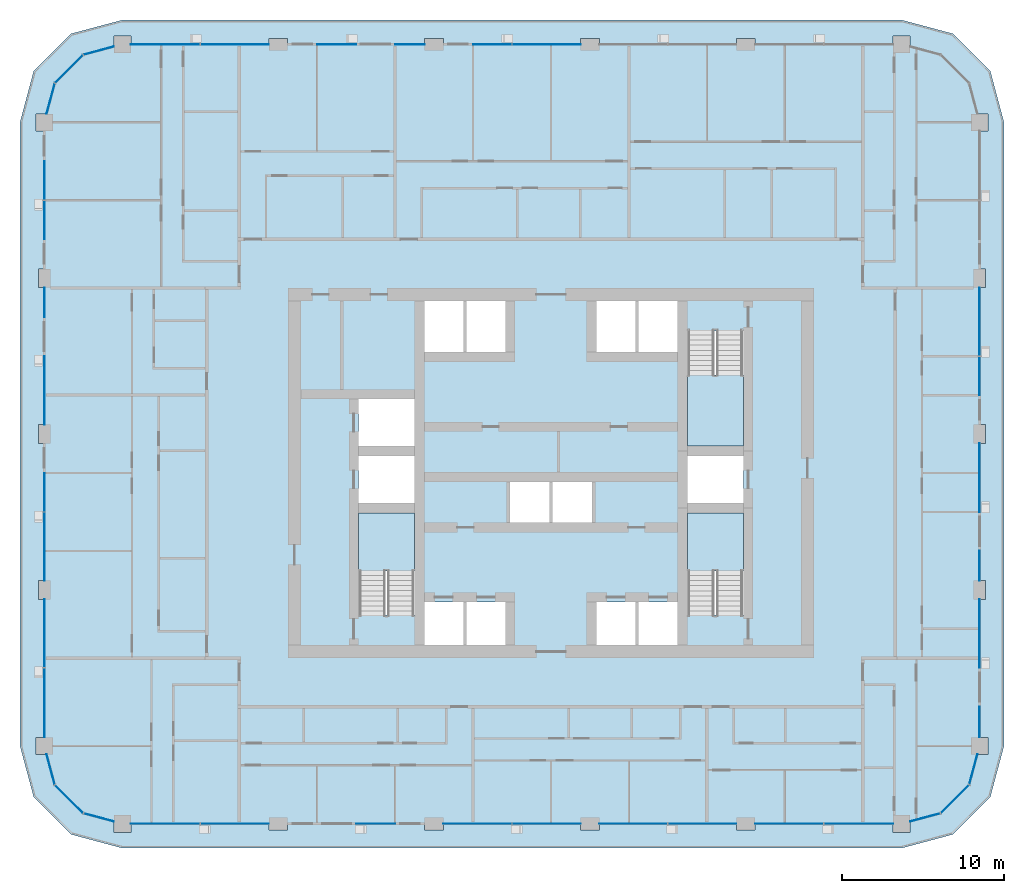
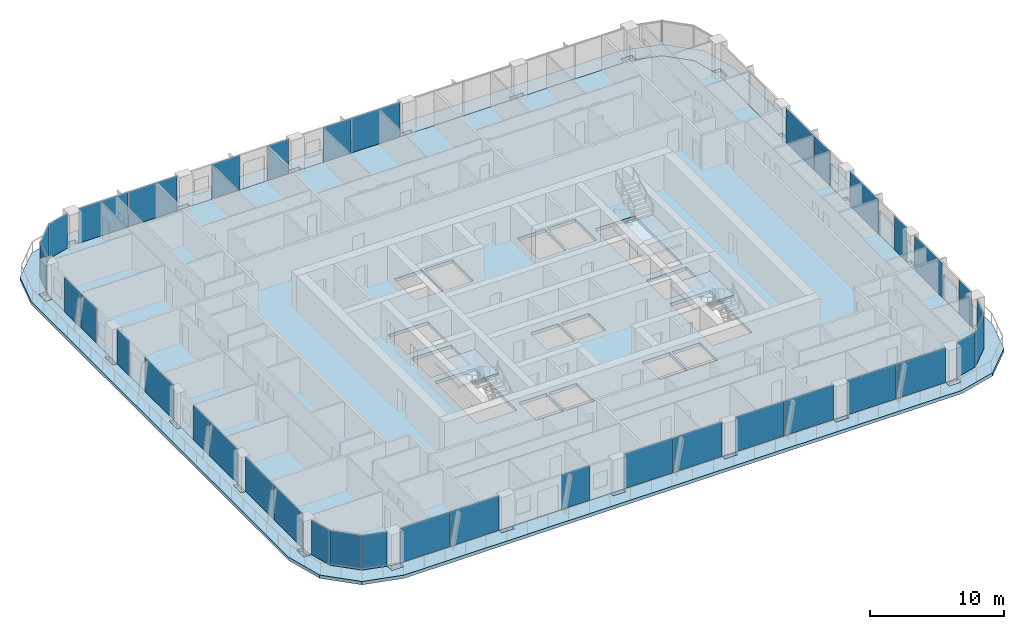
# One storey, part 7 of 22: 38 plates, 5 slabs, 21 elements without a shape of their own.
"""IFC4 building model written with IfcOpenShell, lengths in metres."""

from ifc_helpers import new_model, si_unit, direction, frame, origin, origin_2d, place, context, subcontext, project, spatial, polyline, rectangle, outline, extrude, material, layer, layer_set, type_object, element, aggregate, save


model = new_model("IFC4")

# Units and contexts
model_context = context("Model", 3, precision=1e-05, world=origin(), true_north=direction((0.0, 1.0)))
body_context = subcontext(model_context, "Body", "Model", "MODEL_VIEW")
ifc_project = project(units=[si_unit("LENGTHUNIT", "METRE"), si_unit("AREAUNIT", "SQUARE_METRE"), si_unit("VOLUMEUNIT", "CUBIC_METRE"), si_unit("PLANEANGLEUNIT", "RADIAN"), si_unit("MASSUNIT", "GRAM", prefix="KILO")], contexts=[model_context])

# Site, building, storey
site_placement = place(None, origin())
site = spatial("IfcSite", under=ifc_project, at=site_placement, CompositionType="ELEMENT")
building_placement = place(site_placement, origin())
building = spatial("IfcBuilding", under=site, at=building_placement, Name="Madar Terraces", CompositionType="ELEMENT")
storey_placement = place(building_placement, frame((0.0, 0.0, 129.60009765625)))
storey = spatial("IfcBuildingStorey", under=building, at=storey_placement, Name="L33", CompositionType="ELEMENT", Elevation=129.60009765625)

# Slabs
ifc_material_1 = material(Name="Concrete C50/60", Category="concrete")
ifc_layer_1 = layer(ifc_material_1, 0.300048828125)
ifc_layer_set_1 = layer_set([ifc_layer_1], Name="Balcony band 300")
slab_type_1 = type_object("IfcSlabType", Name="Balcony band 300", PredefinedType="FLOOR", material=ifc_layer_set_1)
slab_1_placement = place(storey_placement, frame((0.0, 0.0, -0.300048828125)))
element("IfcSlab", 1, at=slab_1_placement, inside=storey, type_object=slab_type_1, Name="Balcony band", PredefinedType="FLOOR", context=body_context, shape_type="SweptSolid", body=[
    extrude(outline(polyline([(4.800048828125, 3.300048828125), (1.64990234375, 4.14404296875), (-0.656005859375, 6.449951171875), (-1.5, 9.60009765625), (-1.5, 48.0), (-0.656005859375, 51.14990234375), (1.64990234375, 53.4560546875), (4.800048828125, 54.300048828125), (52.800048828125, 54.300048828125), (55.949951171875, 53.4560546875), (58.256103515625, 51.14990234375), (59.10009765625, 48.0), (59.10009765625, 9.60009765625), (58.256103515625, 6.449951171875), (55.949951171875, 4.14404296875), (52.800048828125, 3.300048828125), (4.800048828125, 3.300048828125)]), holes=[polyline([(5.324951171875, 4.27490234375), (5.324951171875, 4.800048828125), (13.824951171875, 4.800048828125), (13.824951171875, 4.425048828125), (14.97509765625, 4.425048828125), (14.97509765625, 4.800048828125), (23.425048828125, 4.800048828125), (23.425048828125, 4.425048828125), (24.574951171875, 4.425048828125), (24.574951171875, 4.800048828125), (33.02490234375, 4.800048828125), (33.02490234375, 4.425048828125), (34.175048828125, 4.425048828125), (34.175048828125, 4.800048828125), (42.625, 4.800048828125), (42.625, 4.425048828125), (43.77490234375, 4.425048828125), (43.77490234375, 4.800048828125), (52.27490234375, 4.800048828125), (52.27490234375, 4.27490234375), (53.324951171875, 4.27490234375), (53.324951171875, 4.940673828125), (55.199951171875, 5.443115234375), (56.956787109375, 7.199951171875), (57.459228515625, 9.074951171875), (58.125, 9.074951171875), (58.125, 10.125), (57.60009765625, 10.125), (57.60009765625, 18.625), (57.97509765625, 18.625), (57.97509765625, 19.77490234375), (57.60009765625, 19.77490234375), (57.60009765625, 28.22509765625), (57.97509765625, 28.22509765625), (57.97509765625, 29.375), (57.60009765625, 29.375), (57.60009765625, 37.824951171875), (57.97509765625, 37.824951171875), (57.97509765625, 38.97509765625), (57.60009765625, 38.97509765625), (57.60009765625, 47.47509765625), (58.125, 47.47509765625), (58.125, 48.52490234375), (57.459228515625, 48.52490234375), (56.956787109375, 50.39990234375), (55.199951171875, 52.156982421875), (53.324951171875, 52.6591796875), (53.324951171875, 53.324951171875), (52.27490234375, 53.324951171875), (52.27490234375, 52.800048828125), (43.77490234375, 52.800048828125), (43.77490234375, 53.175048828125), (42.625, 53.175048828125), (42.625, 52.800048828125), (34.175048828125, 52.800048828125), (34.175048828125, 53.175048828125), (33.02490234375, 53.175048828125), (33.02490234375, 52.800048828125), (24.574951171875, 52.800048828125), (24.574951171875, 53.175048828125), (23.425048828125, 53.175048828125), (23.425048828125, 52.800048828125), (14.97509765625, 52.800048828125), (14.97509765625, 53.175048828125), (13.824951171875, 53.175048828125), (13.824951171875, 52.800048828125), (5.324951171875, 52.800048828125), (5.324951171875, 53.324951171875), (4.27490234375, 53.324951171875), (4.27490234375, 52.6591796875), (2.39990234375, 52.156982421875), (0.64306640625, 50.39990234375), (0.140625, 48.52490234375), (-0.52490234375, 48.52490234375), (-0.52490234375, 47.47509765625), (0.0, 47.47509765625), (0.0, 38.97509765625), (-0.375, 38.97509765625), (-0.375, 37.824951171875), (0.0, 37.824951171875), (0.0, 29.375), (-0.375, 29.375), (-0.375, 28.22509765625), (0.0, 28.22509765625), (0.0, 19.77490234375), (-0.375, 19.77490234375), (-0.375, 18.625), (0.0, 18.625), (0.0, 10.125), (-0.52490234375, 10.125), (-0.52490234375, 9.074951171875), (0.140625, 9.074951171875), (0.64306640625, 7.199951171875), (2.39990234375, 5.443115234375), (4.27490234375, 4.940673828125), (4.27490234375, 4.27490234375), (5.324951171875, 4.27490234375)])]), origin(), (0.0, 0.0, 1.0), 0.300048828125),
])
ifc_material_2 = material(Name="Concrete C50/60", Category="concrete")
ifc_layer_2 = layer(ifc_material_2, 0.300048828125)
ifc_layer_set_2 = layer_set([ifc_layer_2], Name="FS2 PT flat slab 300")
slab_type_2 = type_object("IfcSlabType", Name="FS2 PT flat slab 300", PredefinedType="FLOOR", material=ifc_layer_set_2)
slab_2_placement = place(storey_placement, frame((0.0, 0.0, -0.300048828125)))
element("IfcSlab", 2, at=slab_2_placement, inside=storey, type_object=slab_type_2, Name="Floor slab L33 (1)", PredefinedType="FLOOR", context=body_context, shape_type="SweptSolid", body=[
    extrude(outline(polyline([(52.800048828125, 4.800048828125), (55.199951171875, 5.443115234375), (56.95703125, 7.199951171875), (57.60009765625, 9.60009765625), (57.60009765625, 48.0), (56.95703125, 50.39990234375), (55.199951171875, 52.156982421875), (52.800048828125, 52.800048828125), (4.800048828125, 52.800048828125), (2.39990234375, 52.156982421875), (0.64306640625, 50.39990234375), (0.0, 48.0), (0.0, 9.60009765625), (0.64306640625, 7.199951171875), (2.39990234375, 5.443115234375), (4.800048828125, 4.800048828125), (52.800048828125, 4.800048828125)]), holes=[polyline([(23.39990234375, 15.800048828125), (23.39990234375, 18.449951171875), (25.800048828125, 18.449951171875), (25.800048828125, 15.800048828125), (23.39990234375, 15.800048828125)]), polyline([(26.0, 15.800048828125), (26.0, 18.449951171875), (28.39990234375, 18.449951171875), (28.39990234375, 15.800048828125), (26.0, 15.800048828125)]), polyline([(19.35009765625, 17.64990234375), (19.35009765625, 23.949951171875), (22.800048828125, 23.949951171875), (22.800048828125, 17.64990234375), (19.35009765625, 17.64990234375)]), polyline([(28.666748046875, 23.35009765625), (28.666748046875, 25.85009765625), (31.10009765625, 25.85009765625), (31.10009765625, 23.35009765625), (28.666748046875, 23.35009765625)]), polyline([(19.35009765625, 24.550048828125), (19.35009765625, 27.449951171875), (22.800048828125, 27.449951171875), (22.800048828125, 24.550048828125), (19.35009765625, 24.550048828125)]), polyline([(19.35009765625, 28.050048828125), (19.35009765625, 30.949951171875), (22.800048828125, 30.949951171875), (22.800048828125, 28.050048828125), (19.35009765625, 28.050048828125)]), polyline([(23.39990234375, 33.85009765625), (23.39990234375, 37.0), (25.800048828125, 37.0), (25.800048828125, 33.85009765625), (23.39990234375, 33.85009765625)]), polyline([(26.0, 33.85009765625), (26.0, 37.0), (28.39990234375, 37.0), (28.39990234375, 33.85009765625), (26.0, 33.85009765625)]), polyline([(34.0, 15.800048828125), (34.0, 18.449951171875), (36.39990234375, 18.449951171875), (36.39990234375, 15.800048828125), (34.0, 15.800048828125)]), polyline([(36.60009765625, 15.800048828125), (36.60009765625, 18.449951171875), (39.0, 18.449951171875), (39.0, 15.800048828125), (36.60009765625, 15.800048828125)]), polyline([(39.60009765625, 17.64990234375), (39.60009765625, 23.949951171875), (43.050048828125, 23.949951171875), (43.050048828125, 17.64990234375), (39.60009765625, 17.64990234375)]), polyline([(31.300048828125, 23.35009765625), (31.300048828125, 25.85009765625), (33.7333984375, 25.85009765625), (33.7333984375, 23.35009765625), (31.300048828125, 23.35009765625)]), polyline([(39.60009765625, 24.550048828125), (39.60009765625, 27.449951171875), (43.050048828125, 27.449951171875), (43.050048828125, 24.550048828125), (39.60009765625, 24.550048828125)]), polyline([(39.60009765625, 28.050048828125), (39.60009765625, 35.14990234375), (43.050048828125, 35.14990234375), (43.050048828125, 28.050048828125), (39.60009765625, 28.050048828125)]), polyline([(34.0, 33.85009765625), (34.0, 37.0), (36.39990234375, 37.0), (36.39990234375, 33.85009765625), (34.0, 33.85009765625)]), polyline([(36.60009765625, 33.85009765625), (36.60009765625, 37.0), (39.0, 37.0), (39.0, 33.85009765625), (36.60009765625, 33.85009765625)])]), origin(), (0.0, 0.0, 1.0), 0.300048828125),
])

# Curtain wall, plates
ifc_material_3 = material(Name="Glass, ceramic frit dark grey, with black aluminium frame", Category="aluminium")
ifc_layer_3 = layer(ifc_material_3, 0.199951171875)
ifc_layer_set_3 = layer_set([ifc_layer_3], Name="Facade curtain wall, fritted glass")
curtain_wall_type = type_object("IfcCurtainWallType", Name="Facade curtain wall, fritted glass", PredefinedType="NOTDEFINED", material=ifc_layer_set_3)
curtain_wall_1_placement = place(storey_placement, origin())
curtain_wall_1 = element("IfcCurtainWall", 3, at=curtain_wall_1_placement, inside=storey, type_object=curtain_wall_type, Name="Outer skin curtain wall south bay 1", PredefinedType="NOTDEFINED")
ifc_material_4 = material(Name="Glass, ceramic frit dark grey", Category="glass")
ifc_layer_4 = layer(ifc_material_4, 0.028076171875)
ifc_layer_set_4 = layer_set([ifc_layer_4], Name="Facade glass panel 28")
plate_type = type_object("IfcPlateType", Name="Facade glass panel 28", PredefinedType="CURTAIN_PANEL", material=ifc_layer_set_4)
plate_1_placement = place(storey_placement, frame((7.447509765625, 4.800048828125, 0.0), z_axis=(0.0, 0.0, 1.0), x_axis=(1.0, 0.0, 0.0)))
plate_1 = element("IfcPlate", 4, at=plate_1_placement, type_object=plate_type, Name="Panel 1", PredefinedType="CURTAIN_PANEL", context=body_context, shape_type="SweptSolid", body=[
    extrude(rectangle(XDim=4.2451171875, YDim=0.028076171875, at=origin_2d()), origin(), (0.0, 0.0, 1.0), 3.139892578125),
])
plate_2_placement = place(storey_placement, frame((11.7275390625, 4.800048828125, 0.0), z_axis=(0.0, 0.0, 1.0), x_axis=(1.0, 0.0, 0.0)))
plate_2 = element("IfcPlate", 5, at=plate_2_placement, type_object=plate_type, Name="Panel 2", PredefinedType="CURTAIN_PANEL", context=body_context, shape_type="SweptSolid", body=[
    extrude(rectangle(XDim=4.195068359375, YDim=0.028076171875, at=origin_2d()), origin(), (0.0, 0.0, 1.0), 3.139892578125),
])
aggregate(curtain_wall_1, [plate_1, plate_2])

# Curtain wall, plate
curtain_wall_2_placement = place(storey_placement, origin())
curtain_wall_2 = element("IfcCurtainWall", 6, at=curtain_wall_2_placement, inside=storey, type_object=curtain_wall_type, Name="Outer skin curtain wall south bay 2", PredefinedType="NOTDEFINED")
plate_3_placement = place(storey_placement, frame((20.39990234375, 4.800048828125, 0.0), z_axis=(0.0, 0.0, 1.0), x_axis=(1.0, 0.0, 0.0)))
plate_3 = element("IfcPlate", 7, at=plate_3_placement, type_object=plate_type, Name="Panel 1", PredefinedType="CURTAIN_PANEL", context=body_context, shape_type="SweptSolid", body=[
    extrude(rectangle(XDim=2.39990234375, YDim=0.028076171875, at=origin_2d()), origin(), (0.0, 0.0, 1.0), 3.139892578125),
])
aggregate(curtain_wall_2, [plate_3])

# Curtain wall, plates
curtain_wall_3_placement = place(storey_placement, origin())
curtain_wall_3 = element("IfcCurtainWall", 8, at=curtain_wall_3_placement, inside=storey, type_object=curtain_wall_type, Name="Outer skin curtain wall south bay 3", PredefinedType="NOTDEFINED")
plate_4_placement = place(storey_placement, frame((26.672607421875, 4.800048828125, 0.0), z_axis=(0.0, 0.0, 1.0), x_axis=(1.0, 0.0, 0.0)))
plate_4 = element("IfcPlate", 9, at=plate_4_placement, type_object=plate_type, Name="Panel 1", PredefinedType="CURTAIN_PANEL", context=body_context, shape_type="SweptSolid", body=[
    extrude(rectangle(XDim=4.195068359375, YDim=0.028076171875, at=origin_2d()), origin(), (0.0, 0.0, 1.0), 3.139892578125),
])
plate_5_placement = place(storey_placement, frame((30.927490234375, 4.800048828125, 0.0), z_axis=(0.0, 0.0, 1.0), x_axis=(1.0, 0.0, 0.0)))
plate_5 = element("IfcPlate", 10, at=plate_5_placement, type_object=plate_type, Name="Panel 2", PredefinedType="CURTAIN_PANEL", context=body_context, shape_type="SweptSolid", body=[
    extrude(rectangle(XDim=4.195068359375, YDim=0.028076171875, at=origin_2d()), origin(), (0.0, 0.0, 1.0), 3.139892578125),
])
aggregate(curtain_wall_3, [plate_4, plate_5])

curtain_wall_4_placement = place(storey_placement, origin())
curtain_wall_4 = element("IfcCurtainWall", 11, at=curtain_wall_4_placement, inside=storey, type_object=curtain_wall_type, Name="Outer skin curtain wall south bay 4", PredefinedType="NOTDEFINED")
plate_6_placement = place(storey_placement, frame((36.2724609375, 4.800048828125, 0.0), z_axis=(0.0, 0.0, 1.0), x_axis=(1.0, 0.0, 0.0)))
plate_6 = element("IfcPlate", 12, at=plate_6_placement, type_object=plate_type, Name="Panel 1", PredefinedType="CURTAIN_PANEL", context=body_context, shape_type="SweptSolid", body=[
    extrude(rectangle(XDim=4.195068359375, YDim=0.028076171875, at=origin_2d()), origin(), (0.0, 0.0, 1.0), 3.139892578125),
])
plate_7_placement = place(storey_placement, frame((40.527587890625, 4.800048828125, 0.0), z_axis=(0.0, 0.0, 1.0), x_axis=(1.0, 0.0, 0.0)))
plate_7 = element("IfcPlate", 13, at=plate_7_placement, type_object=plate_type, Name="Panel 2", PredefinedType="CURTAIN_PANEL", context=body_context, shape_type="SweptSolid", body=[
    extrude(rectangle(XDim=4.195068359375, YDim=0.028076171875, at=origin_2d()), origin(), (0.0, 0.0, 1.0), 3.139892578125),
])
aggregate(curtain_wall_4, [plate_6, plate_7])

curtain_wall_5_placement = place(storey_placement, origin())
curtain_wall_5 = element("IfcCurtainWall", 14, at=curtain_wall_5_placement, inside=storey, type_object=curtain_wall_type, Name="Outer skin curtain wall south bay 5", PredefinedType="NOTDEFINED")
plate_8_placement = place(storey_placement, frame((45.87255859375, 4.800048828125, 0.0), z_axis=(0.0, 0.0, 1.0), x_axis=(1.0, 0.0, 0.0)))
plate_8 = element("IfcPlate", 15, at=plate_8_placement, type_object=plate_type, Name="Panel 1", PredefinedType="CURTAIN_PANEL", context=body_context, shape_type="SweptSolid", body=[
    extrude(rectangle(XDim=4.195068359375, YDim=0.028076171875, at=origin_2d()), origin(), (0.0, 0.0, 1.0), 3.139892578125),
])
plate_9_placement = place(storey_placement, frame((50.152587890625, 4.800048828125, 0.0), z_axis=(0.0, 0.0, 1.0), x_axis=(1.0, 0.0, 0.0)))
plate_9 = element("IfcPlate", 16, at=plate_9_placement, type_object=plate_type, Name="Panel 2", PredefinedType="CURTAIN_PANEL", context=body_context, shape_type="SweptSolid", body=[
    extrude(rectangle(XDim=4.2451171875, YDim=0.028076171875, at=origin_2d()), origin(), (0.0, 0.0, 1.0), 3.139892578125),
])
aggregate(curtain_wall_5, [plate_8, plate_9])

curtain_wall_6_placement = place(storey_placement, origin())
curtain_wall_6 = element("IfcCurtainWall", 17, at=curtain_wall_6_placement, inside=storey, type_object=curtain_wall_type, Name="Outer skin curtain wall east bay 1", PredefinedType="NOTDEFINED")
plate_10_placement = place(storey_placement, frame((57.60009765625, 11.0625, 0.0), z_axis=(0.0, 0.0, 1.0), x_axis=(0.0, 1.0, 0.0)))
plate_10 = element("IfcPlate", 18, at=plate_10_placement, type_object=plate_type, Name="Panel 1", PredefinedType="CURTAIN_PANEL", context=body_context, shape_type="SweptSolid", body=[
    extrude(rectangle(XDim=1.875, YDim=0.028076171875, at=origin_2d()), origin(), (0.0, 0.0, 1.0), 3.139892578125),
])
plate_11_placement = place(storey_placement, frame((57.60009765625, 16.512451171875, 0.0), z_axis=(0.0, 0.0, 1.0), x_axis=(0.0, 1.0, 0.0)))
plate_11 = element("IfcPlate", 19, at=plate_11_placement, type_object=plate_type, Name="Panel 2", PredefinedType="CURTAIN_PANEL", context=body_context, shape_type="SweptSolid", body=[
    extrude(rectangle(XDim=4.22509765625, YDim=0.028076171875, at=origin_2d()), origin(), (0.0, 0.0, 1.0), 3.139892578125),
])
aggregate(curtain_wall_6, [plate_10, plate_11])

curtain_wall_7_placement = place(storey_placement, origin())
curtain_wall_7 = element("IfcCurtainWall", 20, at=curtain_wall_7_placement, inside=storey, type_object=curtain_wall_type, Name="Outer skin curtain wall east bay 2", PredefinedType="NOTDEFINED")
plate_12_placement = place(storey_placement, frame((57.60009765625, 20.6875, 0.0), z_axis=(0.0, 0.0, 1.0), x_axis=(0.0, 1.0, 0.0)))
plate_12 = element("IfcPlate", 21, at=plate_12_placement, type_object=plate_type, Name="Panel 1", PredefinedType="CURTAIN_PANEL", context=body_context, shape_type="SweptSolid", body=[
    extrude(rectangle(XDim=1.824951171875, YDim=0.028076171875, at=origin_2d()), origin(), (0.0, 0.0, 1.0), 3.139892578125),
])
plate_13_placement = place(storey_placement, frame((57.60009765625, 26.112548828125, 0.0), z_axis=(0.0, 0.0, 1.0), x_axis=(0.0, 1.0, 0.0)))
plate_13 = element("IfcPlate", 22, at=plate_13_placement, type_object=plate_type, Name="Panel 2", PredefinedType="CURTAIN_PANEL", context=body_context, shape_type="SweptSolid", body=[
    extrude(rectangle(XDim=4.22509765625, YDim=0.028076171875, at=origin_2d()), origin(), (0.0, 0.0, 1.0), 3.139892578125),
])
aggregate(curtain_wall_7, [plate_12, plate_13])

curtain_wall_8_placement = place(storey_placement, origin())
curtain_wall_8 = element("IfcCurtainWall", 23, at=curtain_wall_8_placement, inside=storey, type_object=curtain_wall_type, Name="Outer skin curtain wall east bay 3", PredefinedType="NOTDEFINED")
plate_14_placement = place(storey_placement, frame((57.60009765625, 32.385009765625, 0.0), z_axis=(0.0, 0.0, 1.0), x_axis=(0.0, 1.0, 0.0)))
plate_14 = element("IfcPlate", 24, at=plate_14_placement, type_object=plate_type, Name="Panel 1", PredefinedType="CURTAIN_PANEL", context=body_context, shape_type="SweptSolid", body=[
    extrude(rectangle(XDim=2.3701171875, YDim=0.028076171875, at=origin_2d()), origin(), (0.0, 0.0, 1.0), 3.139892578125),
])
plate_15_placement = place(storey_placement, frame((57.60009765625, 35.7275390625, 0.0), z_axis=(0.0, 0.0, 1.0), x_axis=(0.0, 1.0, 0.0)))
plate_15 = element("IfcPlate", 25, at=plate_15_placement, type_object=plate_type, Name="Panel 2", PredefinedType="CURTAIN_PANEL", context=body_context, shape_type="SweptSolid", body=[
    extrude(rectangle(XDim=4.195068359375, YDim=0.028076171875, at=origin_2d()), origin(), (0.0, 0.0, 1.0), 3.139892578125),
])
aggregate(curtain_wall_8, [plate_14, plate_15])

curtain_wall_9_placement = place(storey_placement, origin())
curtain_wall_9 = element("IfcCurtainWall", 26, at=curtain_wall_9_placement, inside=storey, type_object=curtain_wall_type, Name="Outer skin curtain wall north bay 3", PredefinedType="NOTDEFINED")
plate_16_placement = place(storey_placement, frame((30.927490234375, 52.800048828125, 0.0), z_axis=(0.0, 0.0, 1.0), x_axis=(-1.0, 0.0, 0.0)))
plate_16 = element("IfcPlate", 27, at=plate_16_placement, type_object=plate_type, Name="Panel 1", PredefinedType="CURTAIN_PANEL", context=body_context, shape_type="SweptSolid", body=[
    extrude(rectangle(XDim=4.195068359375, YDim=0.028076171875, at=origin_2d()), origin(), (0.0, 0.0, 1.0), 3.139892578125),
])
plate_17_placement = place(storey_placement, frame((27.5849609375, 52.800048828125, 0.0), z_axis=(0.0, 0.0, 1.0), x_axis=(-1.0, 0.0, 0.0)))
plate_17 = element("IfcPlate", 28, at=plate_17_placement, type_object=plate_type, Name="Panel 2", PredefinedType="CURTAIN_PANEL", context=body_context, shape_type="SweptSolid", body=[
    extrude(rectangle(XDim=2.3701171875, YDim=0.028076171875, at=origin_2d()), origin(), (0.0, 0.0, 1.0), 3.139892578125),
])
aggregate(curtain_wall_9, [plate_16, plate_17])

curtain_wall_10_placement = place(storey_placement, origin())
curtain_wall_10 = element("IfcCurtainWall", 29, at=curtain_wall_10_placement, inside=storey, type_object=curtain_wall_type, Name="Outer skin curtain wall north bay 4", PredefinedType="NOTDEFINED")
plate_18_placement = place(storey_placement, frame((22.512451171875, 52.800048828125, 0.0), z_axis=(0.0, 0.0, 1.0), x_axis=(-1.0, 0.0, 0.0)))
plate_18 = element("IfcPlate", 30, at=plate_18_placement, type_object=plate_type, Name="Panel 1", PredefinedType="CURTAIN_PANEL", context=body_context, shape_type="SweptSolid", body=[
    extrude(rectangle(XDim=1.824951171875, YDim=0.028076171875, at=origin_2d()), origin(), (0.0, 0.0, 1.0), 3.139892578125),
])
plate_19_placement = place(storey_placement, frame((18.0, 52.800048828125, 0.0), z_axis=(0.0, 0.0, 1.0), x_axis=(-1.0, 0.0, 0.0)))
plate_19 = element("IfcPlate", 31, at=plate_19_placement, type_object=plate_type, Name="Panel 2", PredefinedType="CURTAIN_PANEL", context=body_context, shape_type="SweptSolid", body=[
    extrude(rectangle(XDim=2.39990234375, YDim=0.028076171875, at=origin_2d()), origin(), (0.0, 0.0, 1.0), 3.139892578125),
])
aggregate(curtain_wall_10, [plate_18, plate_19])

curtain_wall_11_placement = place(storey_placement, origin())
curtain_wall_11 = element("IfcCurtainWall", 32, at=curtain_wall_11_placement, inside=storey, type_object=curtain_wall_type, Name="Outer skin curtain wall north bay 5", PredefinedType="NOTDEFINED")
plate_20_placement = place(storey_placement, frame((11.7275390625, 52.800048828125, 0.0), z_axis=(0.0, 0.0, 1.0), x_axis=(-1.0, 0.0, 0.0)))
plate_20 = element("IfcPlate", 33, at=plate_20_placement, type_object=plate_type, Name="Panel 1", PredefinedType="CURTAIN_PANEL", context=body_context, shape_type="SweptSolid", body=[
    extrude(rectangle(XDim=4.195068359375, YDim=0.028076171875, at=origin_2d()), origin(), (0.0, 0.0, 1.0), 3.139892578125),
])
plate_21_placement = place(storey_placement, frame((7.447509765625, 52.800048828125, 0.0), z_axis=(0.0, 0.0, 1.0), x_axis=(-1.0, 0.0, 0.0)))
plate_21 = element("IfcPlate", 34, at=plate_21_placement, type_object=plate_type, Name="Panel 2", PredefinedType="CURTAIN_PANEL", context=body_context, shape_type="SweptSolid", body=[
    extrude(rectangle(XDim=4.2451171875, YDim=0.028076171875, at=origin_2d()), origin(), (0.0, 0.0, 1.0), 3.139892578125),
])
aggregate(curtain_wall_11, [plate_20, plate_21])

curtain_wall_12_placement = place(storey_placement, origin())
curtain_wall_12 = element("IfcCurtainWall", 35, at=curtain_wall_12_placement, inside=storey, type_object=curtain_wall_type, Name="Outer skin curtain wall west bay 1", PredefinedType="NOTDEFINED")
plate_22_placement = place(storey_placement, frame((0.0, 44.4150390625, 0.0), z_axis=(0.0, 0.0, 1.0), x_axis=(0.0, -1.0, 0.0)))
plate_22 = element("IfcPlate", 36, at=plate_22_placement, type_object=plate_type, Name="Panel 1", PredefinedType="CURTAIN_PANEL", context=body_context, shape_type="SweptSolid", body=[
    extrude(rectangle(XDim=2.3701171875, YDim=0.028076171875, at=origin_2d()), origin(), (0.0, 0.0, 1.0), 3.139892578125),
])
plate_23_placement = place(storey_placement, frame((0.0, 41.985107421875, 0.0), z_axis=(0.0, 0.0, 1.0), x_axis=(0.0, -1.0, 0.0)))
plate_23 = element("IfcPlate", 37, at=plate_23_placement, type_object=plate_type, Name="Panel 2", PredefinedType="CURTAIN_PANEL", context=body_context, shape_type="SweptSolid", body=[
    extrude(rectangle(XDim=2.3701171875, YDim=0.028076171875, at=origin_2d()), origin(), (0.0, 0.0, 1.0), 3.139892578125),
])
aggregate(curtain_wall_12, [plate_22, plate_23])

curtain_wall_13_placement = place(storey_placement, origin())
curtain_wall_13 = element("IfcCurtainWall", 38, at=curtain_wall_13_placement, inside=storey, type_object=curtain_wall_type, Name="Outer skin curtain wall west bay 2", PredefinedType="NOTDEFINED")
plate_24_placement = place(storey_placement, frame((0.0, 36.91259765625, 0.0), z_axis=(0.0, 0.0, 1.0), x_axis=(0.0, -1.0, 0.0)))
plate_24 = element("IfcPlate", 39, at=plate_24_placement, type_object=plate_type, Name="Panel 1", PredefinedType="CURTAIN_PANEL", context=body_context, shape_type="SweptSolid", body=[
    extrude(rectangle(XDim=1.824951171875, YDim=0.028076171875, at=origin_2d()), origin(), (0.0, 0.0, 1.0), 3.139892578125),
])
plate_25_placement = place(storey_placement, frame((0.0, 31.487548828125, 0.0), z_axis=(0.0, 0.0, 1.0), x_axis=(0.0, -1.0, 0.0)))
plate_25 = element("IfcPlate", 40, at=plate_25_placement, type_object=plate_type, Name="Panel 2", PredefinedType="CURTAIN_PANEL", context=body_context, shape_type="SweptSolid", body=[
    extrude(rectangle(XDim=4.22509765625, YDim=0.028076171875, at=origin_2d()), origin(), (0.0, 0.0, 1.0), 3.139892578125),
])
aggregate(curtain_wall_13, [plate_24, plate_25])

curtain_wall_14_placement = place(storey_placement, origin())
curtain_wall_14 = element("IfcCurtainWall", 41, at=curtain_wall_14_placement, inside=storey, type_object=curtain_wall_type, Name="Outer skin curtain wall west bay 3", PredefinedType="NOTDEFINED")
plate_26_placement = place(storey_placement, frame((0.0, 25.215087890625, 0.0), z_axis=(0.0, 0.0, 1.0), x_axis=(0.0, -1.0, 0.0)))
plate_26 = element("IfcPlate", 42, at=plate_26_placement, type_object=plate_type, Name="Panel 1", PredefinedType="CURTAIN_PANEL", context=body_context, shape_type="SweptSolid", body=[
    extrude(rectangle(XDim=2.3701171875, YDim=0.028076171875, at=origin_2d()), origin(), (0.0, 0.0, 1.0), 3.139892578125),
])
plate_27_placement = place(storey_placement, frame((0.0, 21.87255859375, 0.0), z_axis=(0.0, 0.0, 1.0), x_axis=(0.0, -1.0, 0.0)))
plate_27 = element("IfcPlate", 43, at=plate_27_placement, type_object=plate_type, Name="Panel 2", PredefinedType="CURTAIN_PANEL", context=body_context, shape_type="SweptSolid", body=[
    extrude(rectangle(XDim=4.195068359375, YDim=0.028076171875, at=origin_2d()), origin(), (0.0, 0.0, 1.0), 3.139892578125),
])
aggregate(curtain_wall_14, [plate_26, plate_27])

curtain_wall_15_placement = place(storey_placement, origin())
curtain_wall_15 = element("IfcCurtainWall", 44, at=curtain_wall_15_placement, inside=storey, type_object=curtain_wall_type, Name="Outer skin curtain wall west bay 4", PredefinedType="NOTDEFINED")
plate_28_placement = place(storey_placement, frame((0.0, 16.527587890625, 0.0), z_axis=(0.0, 0.0, 1.0), x_axis=(0.0, -1.0, 0.0)))
plate_28 = element("IfcPlate", 45, at=plate_28_placement, type_object=plate_type, Name="Panel 1", PredefinedType="CURTAIN_PANEL", context=body_context, shape_type="SweptSolid", body=[
    extrude(rectangle(XDim=4.195068359375, YDim=0.028076171875, at=origin_2d()), origin(), (0.0, 0.0, 1.0), 3.139892578125),
])
plate_29_placement = place(storey_placement, frame((0.0, 12.24755859375, 0.0), z_axis=(0.0, 0.0, 1.0), x_axis=(0.0, -1.0, 0.0)))
plate_29 = element("IfcPlate", 46, at=plate_29_placement, type_object=plate_type, Name="Panel 2", PredefinedType="CURTAIN_PANEL", context=body_context, shape_type="SweptSolid", body=[
    extrude(rectangle(XDim=4.2451171875, YDim=0.028076171875, at=origin_2d()), origin(), (0.0, 0.0, 1.0), 3.139892578125),
])
aggregate(curtain_wall_15, [plate_28, plate_29])

curtain_wall_16_placement = place(storey_placement, origin())
curtain_wall_16 = element("IfcCurtainWall", 47, at=curtain_wall_16_placement, inside=storey, type_object=curtain_wall_type, Name="Outer skin curtain wall south-east corner", PredefinedType="NOTDEFINED")
plate_30_placement = place(storey_placement, frame((54.248046875, 5.18798828125, 0.0), z_axis=(0.0, 0.0, 1.0), x_axis=(0.965925832509, 0.258819021888, 0.0)))
plate_30 = element("IfcPlate", 48, at=plate_30_placement, type_object=plate_type, Name="Panel 1", PredefinedType="CURTAIN_PANEL", context=body_context, shape_type="SweptSolid", body=[
    extrude(rectangle(XDim=1.9111328125, YDim=0.028076171875, at=origin_2d()), origin(), (0.0, 0.0, 1.0), 3.139892578125),
])
plate_31_placement = place(storey_placement, frame((56.078369140625, 6.321533203125, 0.0), z_axis=(0.0, 0.0, 1.0), x_axis=(0.707106781187, 0.707106781187, 0.0)))
plate_31 = element("IfcPlate", 49, at=plate_31_placement, type_object=plate_type, Name="Panel 2", PredefinedType="CURTAIN_PANEL", context=body_context, shape_type="SweptSolid", body=[
    extrude(rectangle(XDim=2.424560546875, YDim=0.028076171875, at=origin_2d()), origin(), (0.0, 0.0, 1.0), 3.139892578125),
])
plate_32_placement = place(storey_placement, frame((57.2119140625, 8.152099609375, 0.0), z_axis=(0.0, 0.0, 1.0), x_axis=(0.258819021888, 0.965925832509, 0.0)))
plate_32 = element("IfcPlate", 50, at=plate_32_placement, type_object=plate_type, Name="Panel 3", PredefinedType="CURTAIN_PANEL", context=body_context, shape_type="SweptSolid", body=[
    extrude(rectangle(XDim=1.9111328125, YDim=0.028076171875, at=origin_2d()), origin(), (0.0, 0.0, 1.0), 3.139892578125),
])
aggregate(curtain_wall_16, [plate_30, plate_31, plate_32])

curtain_wall_17_placement = place(storey_placement, origin())
curtain_wall_17 = element("IfcCurtainWall", 51, at=curtain_wall_17_placement, inside=storey, type_object=curtain_wall_type, Name="Outer skin curtain wall north-west corner", PredefinedType="NOTDEFINED")
plate_33_placement = place(storey_placement, frame((3.35205078125, 52.412109375, 0.0), z_axis=(0.0, 0.0, 1.0), x_axis=(-0.965925832509, -0.258819021888, 0.0)))
plate_33 = element("IfcPlate", 52, at=plate_33_placement, type_object=plate_type, Name="Panel 1", PredefinedType="CURTAIN_PANEL", context=body_context, shape_type="SweptSolid", body=[
    extrude(rectangle(XDim=1.9111328125, YDim=0.028076171875, at=origin_2d()), origin(), (0.0, 0.0, 1.0), 3.139892578125),
])
plate_34_placement = place(storey_placement, frame((1.521484375, 51.278564453125, 0.0), z_axis=(0.0, 0.0, 1.0), x_axis=(-0.707106781187, -0.707106781187, 0.0)))
plate_34 = element("IfcPlate", 53, at=plate_34_placement, type_object=plate_type, Name="Panel 2", PredefinedType="CURTAIN_PANEL", context=body_context, shape_type="SweptSolid", body=[
    extrude(rectangle(XDim=2.424560546875, YDim=0.028076171875, at=origin_2d()), origin(), (0.0, 0.0, 1.0), 3.139892578125),
])
plate_35_placement = place(storey_placement, frame((0.387939453125, 49.447998046875, 0.0), z_axis=(0.0, 0.0, 1.0), x_axis=(-0.258819021888, -0.965925832509, 0.0)))
plate_35 = element("IfcPlate", 54, at=plate_35_placement, type_object=plate_type, Name="Panel 3", PredefinedType="CURTAIN_PANEL", context=body_context, shape_type="SweptSolid", body=[
    extrude(rectangle(XDim=1.9111328125, YDim=0.028076171875, at=origin_2d()), origin(), (0.0, 0.0, 1.0), 3.139892578125),
])
aggregate(curtain_wall_17, [plate_33, plate_34, plate_35])

curtain_wall_18_placement = place(storey_placement, origin())
curtain_wall_18 = element("IfcCurtainWall", 55, at=curtain_wall_18_placement, inside=storey, type_object=curtain_wall_type, Name="Outer skin curtain wall south-west corner", PredefinedType="NOTDEFINED")
plate_36_placement = place(storey_placement, frame((0.387939453125, 8.152099609375, 0.0), z_axis=(0.0, 0.0, 1.0), x_axis=(0.258819021888, -0.965925832509, 0.0)))
plate_36 = element("IfcPlate", 56, at=plate_36_placement, type_object=plate_type, Name="Panel 1", PredefinedType="CURTAIN_PANEL", context=body_context, shape_type="SweptSolid", body=[
    extrude(rectangle(XDim=1.9111328125, YDim=0.028076171875, at=origin_2d()), origin(), (0.0, 0.0, 1.0), 3.139892578125),
])
plate_37_placement = place(storey_placement, frame((1.521484375, 6.321533203125, 0.0), z_axis=(0.0, 0.0, 1.0), x_axis=(0.707106781187, -0.707106781187, 0.0)))
plate_37 = element("IfcPlate", 57, at=plate_37_placement, type_object=plate_type, Name="Panel 2", PredefinedType="CURTAIN_PANEL", context=body_context, shape_type="SweptSolid", body=[
    extrude(rectangle(XDim=2.424560546875, YDim=0.028076171875, at=origin_2d()), origin(), (0.0, 0.0, 1.0), 3.139892578125),
])
plate_38_placement = place(storey_placement, frame((3.35205078125, 5.18798828125, 0.0), z_axis=(0.0, 0.0, 1.0), x_axis=(0.965925832509, -0.258819021888, 0.0)))
plate_38 = element("IfcPlate", 58, at=plate_38_placement, type_object=plate_type, Name="Panel 3", PredefinedType="CURTAIN_PANEL", context=body_context, shape_type="SweptSolid", body=[
    extrude(rectangle(XDim=1.9111328125, YDim=0.028076171875, at=origin_2d()), origin(), (0.0, 0.0, 1.0), 3.139892578125),
])
aggregate(curtain_wall_18, [plate_36, plate_37, plate_38])

# Stair, slab
ifc_material_5 = material(Name="Concrete C50/60", Category="concrete")
stair_type_1 = type_object("IfcStairType", Name="Stair ST1 protected exit", PredefinedType="HALF_TURN_STAIR", material=ifc_material_5)
stair_1_placement = place(storey_placement, origin())
stair_1 = element("IfcStair", 59, at=stair_1_placement, inside=storey, type_object=stair_type_1, Name="L33 Protected Exit Stair ST1", PredefinedType="HALF_TURN_STAIR")
ifc_material_6 = material(Name="Concrete C50/60", Category="concrete")
ifc_layer_5 = layer(ifc_material_6, 0.199951171875)
ifc_layer_set_5 = layer_set([ifc_layer_5], Name="Stair landing 200, top +1.75")
slab_type_3 = type_object("IfcSlabType", Name="Stair landing 200, top +1.75", PredefinedType="LANDING", material=ifc_layer_set_5)
slab_3_placement = place(storey_placement, frame((0.0, 0.0, 1.5498046875)))
slab_3 = element("IfcSlab", 60, at=slab_3_placement, type_object=slab_type_3, Name="ST1 landing 1", PredefinedType="LANDING", context=body_context, shape_type="SweptSolid", body=[
    extrude(outline(polyline([(19.35009765625, 20.360107421875), (22.800048828125, 20.360107421875), (22.800048828125, 23.949951171875), (19.35009765625, 23.949951171875), (19.35009765625, 20.360107421875)])), origin(), (0.0, 0.0, 1.0), 0.2001953125),
])
aggregate(stair_1, [slab_3])

ifc_material_7 = material(Name="Concrete C50/60", Category="concrete")
stair_type_2 = type_object("IfcStairType", Name="Stair ST2 protected exit", PredefinedType="HALF_TURN_STAIR", material=ifc_material_7)
stair_2_placement = place(storey_placement, origin())
stair_2 = element("IfcStair", 61, at=stair_2_placement, inside=storey, type_object=stair_type_2, Name="L33 Protected Exit Stair ST2", PredefinedType="HALF_TURN_STAIR")
slab_4_placement = place(storey_placement, frame((0.0, 0.0, 1.5498046875)))
slab_4 = element("IfcSlab", 62, at=slab_4_placement, type_object=slab_type_3, Name="ST2 landing 1", PredefinedType="LANDING", context=body_context, shape_type="SweptSolid", body=[
    extrude(outline(polyline([(39.60009765625, 28.050048828125), (43.050048828125, 28.050048828125), (43.050048828125, 32.43994140625), (39.60009765625, 32.43994140625), (39.60009765625, 28.050048828125)])), origin(), (0.0, 0.0, 1.0), 0.2001953125),
])
aggregate(stair_2, [slab_4])

ifc_material_8 = material(Name="Concrete C50/60", Category="concrete")
stair_type_3 = type_object("IfcStairType", Name="Stair ST3 protected exit", PredefinedType="HALF_TURN_STAIR", material=ifc_material_8)
stair_3_placement = place(storey_placement, origin())
stair_3 = element("IfcStair", 63, at=stair_3_placement, inside=storey, type_object=stair_type_3, Name="L33 Protected Exit Stair ST3", PredefinedType="HALF_TURN_STAIR")
slab_5_placement = place(storey_placement, frame((0.0, 0.0, 1.5498046875)))
slab_5 = element("IfcSlab", 64, at=slab_5_placement, type_object=slab_type_3, Name="ST3 landing 1", PredefinedType="LANDING", context=body_context, shape_type="SweptSolid", body=[
    extrude(outline(polyline([(39.60009765625, 20.360107421875), (43.050048828125, 20.360107421875), (43.050048828125, 23.949951171875), (39.60009765625, 23.949951171875), (39.60009765625, 20.360107421875)])), origin(), (0.0, 0.0, 1.0), 0.2001953125),
])
aggregate(stair_3, [slab_5])

save(model, "model.ifc")
